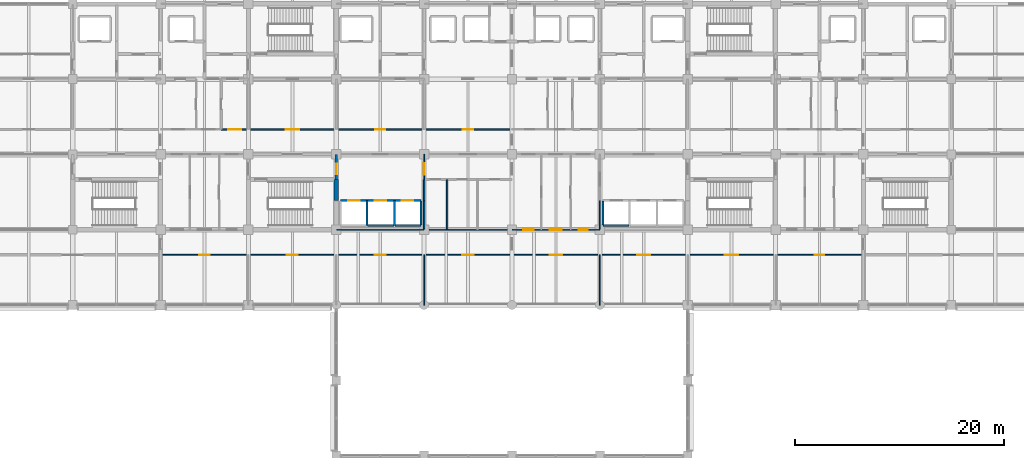
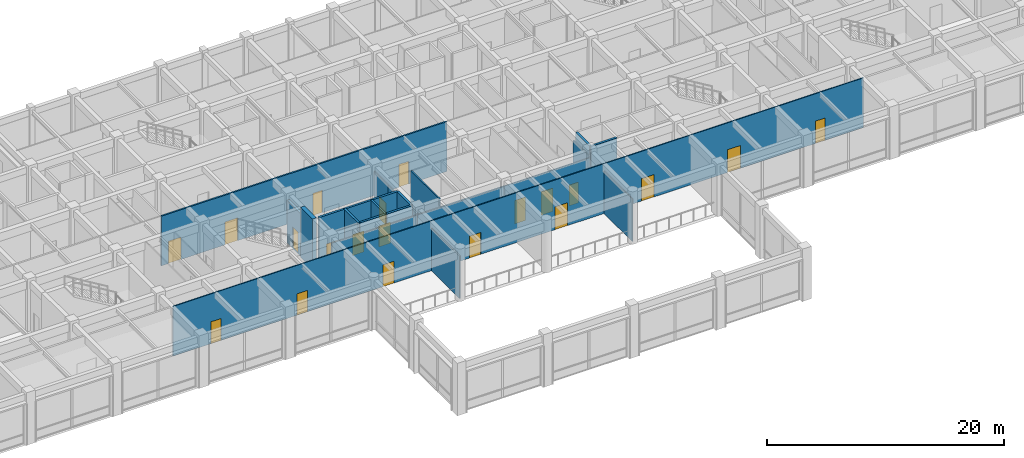
# One storey, part 30 of 51: 22 walls, 20 doors, 20 openings.
"""IFC4 building model written with IfcOpenShell, lengths in metres."""

from ifc_helpers import new_model, si_unit, direction, frame, frame_2d, origin, place, context, subcontext, project, spatial, rectangle, extrude, material, layer, layer_set, type_object, element, fill, save


model = new_model("IFC4")

# Units and contexts
model_context = context("Model", 3, precision=1e-05, world=origin(), true_north=direction((0.0, 1.0)))
body_context = subcontext(model_context, "Body", "Model", "MODEL_VIEW")
ifc_project = project(units=[si_unit("LENGTHUNIT", "METRE"), si_unit("AREAUNIT", "SQUARE_METRE"), si_unit("VOLUMEUNIT", "CUBIC_METRE"), si_unit("PLANEANGLEUNIT", "RADIAN"), si_unit("MASSUNIT", "GRAM", prefix="KILO")], contexts=[model_context])

# Site, building, storey
site_placement = place(None, origin())
site = spatial("IfcSite", under=ifc_project, at=site_placement, CompositionType="ELEMENT")
building_placement = place(site_placement, origin())
building = spatial("IfcBuilding", under=site, at=building_placement, Name="Chengyuan Square Courthouse", CompositionType="ELEMENT")
storey_placement = place(building_placement, frame((0.0, 0.0, 10.800048828125)))
storey = spatial("IfcBuildingStorey", under=building, at=storey_placement, Name="L03", CompositionType="ELEMENT", Elevation=10.800048828125)

# Wall, opening, door
ifc_material_1 = material(Name="Concrete C40", Category="concrete")
ifc_layer_1 = layer(ifc_material_1, 0.25)
ifc_layer_set_1 = layer_set([ifc_layer_1], Name="Concrete C40")
wall_type_1 = type_object("IfcWallType", Name="WL-FW1", PredefinedType="STANDARD", material=ifc_layer_set_1)
wall_1_placement = place(storey_placement, frame((67.199951171875, 91.199951171875, 0.0), z_axis=(0.0, 0.0, 1.0), x_axis=(0.0, 1.0, 0.0)))
wall_1 = element("IfcWall", 1, at=wall_1_placement, inside=storey, type_object=wall_type_1, Name="Interior Wall WL-L03-I1613", PredefinedType="STANDARD", context=body_context, shape_type="SweptSolid", body=[
    extrude(rectangle(XDim=2.400146484375, YDim=0.25, at=frame_2d((1.2001953125, 0.0))), origin(), (0.0, 0.0, 1.0), 4.369873046875),
])
opening_1_placement = place(wall_1_placement, frame((0.514892578125, 0.0, 0.0)))
opening_1 = element("IfcOpeningElement", 2, at=opening_1_placement, cuts=wall_1, Name="Opening DR-1333", PredefinedType="OPENING", context=body_context, shape_type="SweptSolid", body=[
    extrude(rectangle(XDim=1.0, YDim=2.199951171875, at=frame_2d((0.5, 1.10009765625))), frame((0.0, 0.136962890625, 0.0), z_axis=(0.0, -1.0, 0.0), x_axis=(1.0, 0.0, 0.0)), (0.0, 0.0, 1.0), 0.27392578125),
])
ifc_material_2 = material(Name="Steel Q235B Fire Door", Category="steel")
door_type_1 = type_object("IfcDoorType", Name="DT-11", OperationType="NOTDEFINED", PredefinedType="DOOR", material=ifc_material_2)
door_1_placement = place(opening_1_placement, origin())
door_1 = element("IfcDoor", 3, at=door_1_placement, inside=storey, type_object=door_type_1, Name="Interior Door DR-1333", OperationType="SINGLE_SWING_RIGHT", OverallHeight=2.199951171875, OverallWidth=1.0, PredefinedType="DOOR", context=body_context, shape_type="SweptSolid", body=[
    extrude(rectangle(XDim=1.0, YDim=2.199951171875, at=frame_2d((0.5, 1.10009765625))), frame((0.0, 0.02490234375, 0.0), z_axis=(0.0, -1.0, 0.0), x_axis=(1.0, 0.0, 0.0)), (0.0, 0.0, 1.0), 0.050048828125),
])
fill(opening_1, door_1)

# Wall, openings, doors
ifc_material_3 = material(Name="Deliberation Room Sound-Insulated Partition")
ifc_layer_2 = layer(ifc_material_3, 0.14990234375)
ifc_layer_set_2 = layer_set([ifc_layer_2], Name="Deliberation Room Sound-Insulated Partition")
wall_type_2 = type_object("IfcWallType", Name="WL-PT3", PredefinedType="STANDARD", material=ifc_layer_set_2)
wall_2_placement = place(storey_placement, frame((56.199951171875, 96.0, 0.0), z_axis=(0.0, 0.0, 1.0), x_axis=(1.0, 0.0, 0.0)))
wall_2 = element("IfcWall", 4, at=wall_2_placement, inside=storey, type_object=wall_type_2, Name="Interior Wall WL-L03-I1466", PredefinedType="STANDARD", context=body_context, shape_type="SweptSolid", body=[
    extrude(rectangle(XDim=27.800048828125, YDim=0.14990234375, at=frame_2d((13.89990234375, 0.0))), origin(), (0.0, 0.0, 1.0), 5.119873046875),
])
opening_2_placement = place(wall_2_placement, frame((0.679931640625, 0.0, 0.0)))
opening_2 = element("IfcOpeningElement", 5, at=opening_2_placement, cuts=wall_2, Name="Opening DR-1469", PredefinedType="OPENING", context=body_context, shape_type="SweptSolid", body=[
    extrude(rectangle(XDim=1.239990234375, YDim=2.300048828125, at=frame_2d((0.6201171875, 1.14990234375))), frame((0.0, 0.0869140625, 0.0), z_axis=(0.0, -1.0, 0.0), x_axis=(1.0, 0.0, 0.0)), (0.0, 0.0, 1.0), 0.173828125),
])
opening_3_placement = place(wall_2_placement, frame((6.159912109375, 0.0, 0.0)))
opening_3 = element("IfcOpeningElement", 6, at=opening_3_placement, cuts=wall_2, Name="Opening DR-1470", PredefinedType="OPENING", context=body_context, shape_type="SweptSolid", body=[
    extrude(rectangle(XDim=1.280029296875, YDim=2.35009765625, at=frame_2d((0.64013671875, 1.175048828125))), frame((0.0, 0.0869140625, 0.0), z_axis=(0.0, -1.0, 0.0), x_axis=(1.0, 0.0, 0.0)), (0.0, 0.0, 1.0), 0.173828125),
])
opening_4_placement = place(wall_2_placement, frame((14.72998046875, 0.0, 0.0)))
opening_4 = element("IfcOpeningElement", 7, at=opening_4_placement, cuts=wall_2, Name="Opening DR-1471", PredefinedType="OPENING", context=body_context, shape_type="SweptSolid", body=[
    extrude(rectangle(XDim=0.93994140625, YDim=2.300048828125, at=frame_2d((0.469970703125, 1.14990234375))), frame((0.0, 0.0869140625, 0.0), z_axis=(0.0, -1.0, 0.0), x_axis=(1.0, 0.0, 0.0)), (0.0, 0.0, 1.0), 0.173828125),
])
opening_5_placement = place(wall_2_placement, frame((23.110107421875, 0.0, 0.0)))
opening_5 = element("IfcOpeningElement", 8, at=opening_5_placement, cuts=wall_2, Name="Opening DR-1472", PredefinedType="OPENING", context=body_context, shape_type="SweptSolid", body=[
    extrude(rectangle(XDim=0.97998046875, YDim=2.35009765625, at=frame_2d((0.489990234375, 1.175048828125))), frame((0.0, 0.0869140625, 0.0), z_axis=(0.0, -1.0, 0.0), x_axis=(1.0, 0.0, 0.0)), (0.0, 0.0, 1.0), 0.173828125),
])
ifc_material_4 = material(Name="Acoustic Solid-Core Timber Door", Category="wood")
door_type_2 = type_object("IfcDoorType", Name="DT-37", OperationType="NOTDEFINED", PredefinedType="DOOR", material=ifc_material_4)
door_2_placement = place(opening_2_placement, origin())
door_2 = element("IfcDoor", 9, at=door_2_placement, inside=storey, type_object=door_type_2, Name="Interior Door DR-1469", OperationType="SINGLE_SWING_RIGHT", OverallHeight=2.300048828125, OverallWidth=1.239990234375, PredefinedType="DOOR", context=body_context, shape_type="SweptSolid", body=[
    extrude(rectangle(XDim=1.239990234375, YDim=2.300048828125, at=frame_2d((0.6201171875, 1.14990234375))), frame((0.0, 0.02490234375, 0.0), z_axis=(0.0, -1.0, 0.0), x_axis=(1.0, 0.0, 0.0)), (0.0, 0.0, 1.0), 0.050048828125),
])
fill(opening_2, door_2)
door_type_3 = type_object("IfcDoorType", Name="DT-38", OperationType="NOTDEFINED", PredefinedType="DOOR", material=ifc_material_4)
door_3_placement = place(opening_3_placement, origin())
door_3 = element("IfcDoor", 10, at=door_3_placement, inside=storey, type_object=door_type_3, Name="Interior Door DR-1470", OperationType="SINGLE_SWING_LEFT", OverallHeight=2.35009765625, OverallWidth=1.280029296875, PredefinedType="DOOR", context=body_context, shape_type="SweptSolid", body=[
    extrude(rectangle(XDim=1.280029296875, YDim=2.35009765625, at=frame_2d((0.64013671875, 1.175048828125))), frame((0.0, 0.02490234375, 0.0), z_axis=(0.0, -1.0, 0.0), x_axis=(1.0, 0.0, 0.0)), (0.0, 0.0, 1.0), 0.050048828125),
])
fill(opening_3, door_3)
door_type_4 = type_object("IfcDoorType", Name="DT-39", OperationType="NOTDEFINED", PredefinedType="DOOR", material=ifc_material_4)
door_4_placement = place(opening_4_placement, origin())
door_4 = element("IfcDoor", 11, at=door_4_placement, inside=storey, type_object=door_type_4, Name="Interior Door DR-1471", OperationType="SINGLE_SWING_RIGHT", OverallHeight=2.300048828125, OverallWidth=0.93994140625, PredefinedType="DOOR", context=body_context, shape_type="SweptSolid", body=[
    extrude(rectangle(XDim=0.93994140625, YDim=2.300048828125, at=frame_2d((0.469970703125, 1.14990234375))), frame((0.0, 0.02490234375, 0.0), z_axis=(0.0, -1.0, 0.0), x_axis=(1.0, 0.0, 0.0)), (0.0, 0.0, 1.0), 0.050048828125),
])
fill(opening_4, door_4)
door_type_5 = type_object("IfcDoorType", Name="DT-40", OperationType="NOTDEFINED", PredefinedType="DOOR", material=ifc_material_4)
door_5_placement = place(opening_5_placement, origin())
door_5 = element("IfcDoor", 12, at=door_5_placement, inside=storey, type_object=door_type_5, Name="Interior Door DR-1472", OperationType="SINGLE_SWING_LEFT", OverallHeight=2.35009765625, OverallWidth=0.97998046875, PredefinedType="DOOR", context=body_context, shape_type="SweptSolid", body=[
    extrude(rectangle(XDim=0.97998046875, YDim=2.35009765625, at=frame_2d((0.489990234375, 1.175048828125))), frame((0.0, 0.02490234375, 0.0), z_axis=(0.0, -1.0, 0.0), x_axis=(1.0, 0.0, 0.0)), (0.0, 0.0, 1.0), 0.050048828125),
])
fill(opening_5, door_5)

# Walls
ifc_material_5 = material(Name="Moisture-Resistant Masonry Wet-Room Partition", Category="masonry")
ifc_layer_3 = layer(ifc_material_5, 0.139892578125)
ifc_layer_set_3 = layer_set([ifc_layer_3], Name="Moisture-Resistant Masonry Wet-Room Partition")
wall_type_3 = type_object("IfcWallType", Name="WL-PT4", PredefinedType="STANDARD", material=ifc_layer_set_3)
wall_3_placement = place(storey_placement, frame((75.60009765625, 86.39990234375, 0.0), z_axis=(0.0, 0.0, 1.0), x_axis=(1.0, 0.0, 0.0)))
element("IfcWall", 13, at=wall_3_placement, inside=storey, type_object=wall_type_3, Name="Interior Wall WL-L03-I1424", PredefinedType="STANDARD", context=body_context, shape_type="SweptSolid", body=[
    extrude(rectangle(XDim=8.39990234375, YDim=0.139892578125, at=frame_2d((4.199951171875, 0.0))), origin(), (0.0, 0.0, 1.0), 4.27001953125),
])
wall_4_placement = place(storey_placement, frame((75.60009765625, 86.449951171875, 0.0), z_axis=(0.0, 0.0, 1.0), x_axis=(0.0, 1.0, 0.0)))
element("IfcWall", 14, at=wall_4_placement, inside=storey, type_object=wall_type_3, Name="Interior Wall WL-L03-I1628", PredefinedType="STANDARD", context=body_context, shape_type="SweptSolid", body=[
    extrude(rectangle(XDim=2.699951171875, YDim=0.139892578125, at=frame_2d((1.35009765625, 0.0))), origin(), (0.0, 0.0, 1.0), 4.369873046875),
])
wall_5_placement = place(storey_placement, frame((75.60009765625, 89.199951171875, 0.0), z_axis=(0.0, 0.0, 1.0), x_axis=(0.0, 1.0, 0.0)))
element("IfcWall", 15, at=wall_5_placement, inside=storey, type_object=wall_type_3, Name="Interior Wall WL-L03-I1629", PredefinedType="STANDARD", context=body_context, shape_type="SweptSolid", body=[
    extrude(rectangle(XDim=2.0, YDim=0.139892578125, at=frame_2d((1.0, 0.0))), origin(), (0.0, 0.0, 1.0), 4.369873046875),
])
wall_6_placement = place(storey_placement, frame((77.800048828125, 86.39990234375, 0.0), z_axis=(0.0, 0.0, 1.0), x_axis=(0.0, 1.0, 0.0)))
element("IfcWall", 16, at=wall_6_placement, inside=storey, type_object=wall_type_3, Name="Interior Wall WL-L03-I1636", PredefinedType="STANDARD", context=body_context, shape_type="SweptSolid", body=[
    extrude(rectangle(XDim=4.800048828125, YDim=0.139892578125, at=frame_2d((2.39990234375, 0.0))), origin(), (0.0, 0.0, 1.0), 5.119873046875),
])

# Wall, openings, doors
ifc_material_6 = material(Name="Gypsum Plasterboard Acoustic Stud Partition")
ifc_layer_4 = layer(ifc_material_6, 0.10009765625)
ifc_layer_set_4 = layer_set([ifc_layer_4], Name="Gypsum Plasterboard Acoustic Stud Partition")
wall_type_4 = type_object("IfcWallType", Name="WL-PT6", PredefinedType="STANDARD", material=ifc_layer_set_4)
wall_7_placement = place(storey_placement, frame((50.39990234375, 84.0, 0.0), z_axis=(0.0, 0.0, 1.0), x_axis=(1.0, 0.0, 0.0)))
wall_7 = element("IfcWall", 17, at=wall_7_placement, inside=storey, type_object=wall_type_4, Name="Interior Wall WL-L03-I1414", PredefinedType="STANDARD", context=body_context, shape_type="SweptSolid", body=[
    extrude(rectangle(XDim=67.2001953125, YDim=0.10009765625, at=frame_2d((33.60009765625, 0.0))), origin(), (0.0, 0.0, 1.0), 5.119873046875),
])
opening_6_placement = place(wall_7_placement, frame((3.699951171875, 0.0, 0.0)))
opening_6 = element("IfcOpeningElement", 18, at=opening_6_placement, cuts=wall_7, Name="Opening DR-1582", PredefinedType="OPENING", context=body_context, shape_type="SweptSolid", body=[
    extrude(rectangle(XDim=1.0, YDim=2.25, at=frame_2d((0.5, 1.125))), frame((0.0, 0.06201171875, 0.0), z_axis=(0.0, -1.0, 0.0), x_axis=(1.0, 0.0, 0.0)), (0.0, 0.0, 1.0), 0.1240234375),
])
opening_7_placement = place(wall_7_placement, frame((12.080078125, 0.0, 0.0)))
opening_7 = element("IfcOpeningElement", 19, at=opening_7_placement, cuts=wall_7, Name="Opening DR-1583", PredefinedType="OPENING", context=body_context, shape_type="SweptSolid", body=[
    extrude(rectangle(XDim=1.0400390625, YDim=2.199951171875, at=frame_2d((0.52001953125, 1.10009765625))), frame((0.0, 0.06201171875, 0.0), z_axis=(0.0, -1.0, 0.0), x_axis=(1.0, 0.0, 0.0)), (0.0, 0.0, 1.0), 0.1240234375),
])
opening_8_placement = place(wall_7_placement, frame((20.4599609375, 0.0, 0.0)))
opening_8 = element("IfcOpeningElement", 20, at=opening_8_placement, cuts=wall_7, Name="Opening DR-1584", PredefinedType="OPENING", context=body_context, shape_type="SweptSolid", body=[
    extrude(rectangle(XDim=1.080078125, YDim=2.25, at=frame_2d((0.5400390625, 1.125))), frame((0.0, 0.06201171875, 0.0), z_axis=(0.0, -1.0, 0.0), x_axis=(1.0, 0.0, 0.0)), (0.0, 0.0, 1.0), 0.1240234375),
])
opening_9_placement = place(wall_7_placement, frame((28.840087890625, 0.0, 0.0)))
opening_9 = element("IfcOpeningElement", 21, at=opening_9_placement, cuts=wall_7, Name="Opening DR-1585", PredefinedType="OPENING", context=body_context, shape_type="SweptSolid", body=[
    extrude(rectangle(XDim=1.1201171875, YDim=2.25, at=frame_2d((0.56005859375, 1.125))), frame((0.0, 0.06201171875, 0.0), z_axis=(0.0, -1.0, 0.0), x_axis=(1.0, 0.0, 0.0)), (0.0, 0.0, 1.0), 0.1240234375),
])
opening_10_placement = place(wall_7_placement, frame((37.199951171875, 0.0, 0.0)))
opening_10 = element("IfcOpeningElement", 22, at=opening_10_placement, cuts=wall_7, Name="Opening DR-1587", PredefinedType="OPENING", context=body_context, shape_type="SweptSolid", body=[
    extrude(rectangle(XDim=1.199951171875, YDim=2.35009765625, at=frame_2d((0.60009765625, 1.175048828125))), frame((0.0, 0.06201171875, 0.0), z_axis=(0.0, -1.0, 0.0), x_axis=(1.0, 0.0, 0.0)), (0.0, 0.0, 1.0), 0.1240234375),
])
opening_11_placement = place(wall_7_placement, frame((45.580078125, 0.0, 0.0)))
opening_11 = element("IfcOpeningElement", 23, at=opening_11_placement, cuts=wall_7, Name="Opening DR-1588", PredefinedType="OPENING", context=body_context, shape_type="SweptSolid", body=[
    extrude(rectangle(XDim=1.239990234375, YDim=2.300048828125, at=frame_2d((0.6201171875, 1.14990234375))), frame((0.0, 0.06201171875, 0.0), z_axis=(0.0, -1.0, 0.0), x_axis=(1.0, 0.0, 0.0)), (0.0, 0.0, 1.0), 0.1240234375),
])
opening_12_placement = place(wall_7_placement, frame((53.9599609375, 0.0, 0.0)))
opening_12 = element("IfcOpeningElement", 24, at=opening_12_placement, cuts=wall_7, Name="Opening DR-1589", PredefinedType="OPENING", context=body_context, shape_type="SweptSolid", body=[
    extrude(rectangle(XDim=1.280029296875, YDim=2.35009765625, at=frame_2d((0.64013671875, 1.175048828125))), frame((0.0, 0.06201171875, 0.0), z_axis=(0.0, -1.0, 0.0), x_axis=(1.0, 0.0, 0.0)), (0.0, 0.0, 1.0), 0.1240234375),
])
opening_13_placement = place(wall_7_placement, frame((62.530029296875, 0.0, 0.0)))
opening_13 = element("IfcOpeningElement", 25, at=opening_13_placement, cuts=wall_7, Name="Opening DR-1590", PredefinedType="OPENING", context=body_context, shape_type="SweptSolid", body=[
    extrude(rectangle(XDim=0.93994140625, YDim=2.300048828125, at=frame_2d((0.469970703125, 1.14990234375))), frame((0.0, 0.06201171875, 0.0), z_axis=(0.0, -1.0, 0.0), x_axis=(1.0, 0.0, 0.0)), (0.0, 0.0, 1.0), 0.1240234375),
])
door_type_6 = type_object("IfcDoorType", Name="DT-31", OperationType="NOTDEFINED", PredefinedType="DOOR", material=ifc_material_4)
door_6_placement = place(opening_6_placement, origin())
door_6 = element("IfcDoor", 26, at=door_6_placement, inside=storey, type_object=door_type_6, Name="Interior Door DR-1582", OperationType="SINGLE_SWING_LEFT", OverallHeight=2.25, OverallWidth=1.0, PredefinedType="DOOR", context=body_context, shape_type="SweptSolid", body=[
    extrude(rectangle(XDim=1.0, YDim=2.25, at=frame_2d((0.5, 1.125))), frame((0.0, 0.02490234375, 0.0), z_axis=(0.0, -1.0, 0.0), x_axis=(1.0, 0.0, 0.0)), (0.0, 0.0, 1.0), 0.050048828125),
])
fill(opening_6, door_6)
door_type_7 = type_object("IfcDoorType", Name="DT-32", OperationType="NOTDEFINED", PredefinedType="DOOR", material=ifc_material_4)
door_7_placement = place(opening_7_placement, origin())
door_7 = element("IfcDoor", 27, at=door_7_placement, inside=storey, type_object=door_type_7, Name="Interior Door DR-1583", OperationType="SINGLE_SWING_RIGHT", OverallHeight=2.199951171875, OverallWidth=1.0400390625, PredefinedType="DOOR", context=body_context, shape_type="SweptSolid", body=[
    extrude(rectangle(XDim=1.0400390625, YDim=2.199951171875, at=frame_2d((0.52001953125, 1.10009765625))), frame((0.0, 0.02490234375, 0.0), z_axis=(0.0, -1.0, 0.0), x_axis=(1.0, 0.0, 0.0)), (0.0, 0.0, 1.0), 0.050048828125),
])
fill(opening_7, door_7)
door_type_8 = type_object("IfcDoorType", Name="DT-33", OperationType="NOTDEFINED", PredefinedType="DOOR", material=ifc_material_4)
door_8_placement = place(opening_8_placement, origin())
door_8 = element("IfcDoor", 28, at=door_8_placement, inside=storey, type_object=door_type_8, Name="Interior Door DR-1584", OperationType="SINGLE_SWING_LEFT", OverallHeight=2.25, OverallWidth=1.080078125, PredefinedType="DOOR", context=body_context, shape_type="SweptSolid", body=[
    extrude(rectangle(XDim=1.080078125, YDim=2.25, at=frame_2d((0.5400390625, 1.125))), frame((0.0, 0.02490234375, 0.0), z_axis=(0.0, -1.0, 0.0), x_axis=(1.0, 0.0, 0.0)), (0.0, 0.0, 1.0), 0.050048828125),
])
fill(opening_8, door_8)
door_type_9 = type_object("IfcDoorType", Name="DT-34", OperationType="NOTDEFINED", PredefinedType="DOOR", material=ifc_material_4)
door_9_placement = place(opening_9_placement, origin())
door_9 = element("IfcDoor", 29, at=door_9_placement, inside=storey, type_object=door_type_9, Name="Interior Door DR-1585", OperationType="SINGLE_SWING_RIGHT", OverallHeight=2.25, OverallWidth=1.1201171875, PredefinedType="DOOR", context=body_context, shape_type="SweptSolid", body=[
    extrude(rectangle(XDim=1.1201171875, YDim=2.25, at=frame_2d((0.56005859375, 1.125))), frame((0.0, 0.02490234375, 0.0), z_axis=(0.0, -1.0, 0.0), x_axis=(1.0, 0.0, 0.0)), (0.0, 0.0, 1.0), 0.050048828125),
])
fill(opening_9, door_9)
door_type_10 = type_object("IfcDoorType", Name="DT-36", OperationType="NOTDEFINED", PredefinedType="DOOR", material=ifc_material_4)
door_10_placement = place(opening_10_placement, origin())
door_10 = element("IfcDoor", 30, at=door_10_placement, inside=storey, type_object=door_type_10, Name="Interior Door DR-1587", OperationType="SINGLE_SWING_RIGHT", OverallHeight=2.35009765625, OverallWidth=1.199951171875, PredefinedType="DOOR", context=body_context, shape_type="SweptSolid", body=[
    extrude(rectangle(XDim=1.199951171875, YDim=2.35009765625, at=frame_2d((0.60009765625, 1.175048828125))), frame((0.0, 0.02490234375, 0.0), z_axis=(0.0, -1.0, 0.0), x_axis=(1.0, 0.0, 0.0)), (0.0, 0.0, 1.0), 0.050048828125),
])
fill(opening_10, door_10)
door_11_placement = place(opening_11_placement, origin())
door_11 = element("IfcDoor", 31, at=door_11_placement, inside=storey, type_object=door_type_2, Name="Interior Door DR-1588", OperationType="SINGLE_SWING_LEFT", OverallHeight=2.300048828125, OverallWidth=1.239990234375, PredefinedType="DOOR", context=body_context, shape_type="SweptSolid", body=[
    extrude(rectangle(XDim=1.239990234375, YDim=2.300048828125, at=frame_2d((0.6201171875, 1.14990234375))), frame((0.0, 0.02490234375, 0.0), z_axis=(0.0, -1.0, 0.0), x_axis=(1.0, 0.0, 0.0)), (0.0, 0.0, 1.0), 0.050048828125),
])
fill(opening_11, door_11)
door_12_placement = place(opening_12_placement, origin())
door_12 = element("IfcDoor", 32, at=door_12_placement, inside=storey, type_object=door_type_3, Name="Interior Door DR-1589", OperationType="SINGLE_SWING_RIGHT", OverallHeight=2.35009765625, OverallWidth=1.280029296875, PredefinedType="DOOR", context=body_context, shape_type="SweptSolid", body=[
    extrude(rectangle(XDim=1.280029296875, YDim=2.35009765625, at=frame_2d((0.64013671875, 1.175048828125))), frame((0.0, 0.02490234375, 0.0), z_axis=(0.0, -1.0, 0.0), x_axis=(1.0, 0.0, 0.0)), (0.0, 0.0, 1.0), 0.050048828125),
])
fill(opening_12, door_12)
door_13_placement = place(opening_13_placement, origin())
door_13 = element("IfcDoor", 33, at=door_13_placement, inside=storey, type_object=door_type_4, Name="Interior Door DR-1590", OperationType="SINGLE_SWING_LEFT", OverallHeight=2.300048828125, OverallWidth=0.93994140625, PredefinedType="DOOR", context=body_context, shape_type="SweptSolid", body=[
    extrude(rectangle(XDim=0.93994140625, YDim=2.300048828125, at=frame_2d((0.469970703125, 1.14990234375))), frame((0.0, 0.02490234375, 0.0), z_axis=(0.0, -1.0, 0.0), x_axis=(1.0, 0.0, 0.0)), (0.0, 0.0, 1.0), 0.050048828125),
])
fill(opening_13, door_13)

# Wall
wall_8_placement = place(storey_placement, frame((67.25, 86.39990234375, 0.0), z_axis=(0.0, 0.0, 1.0), x_axis=(1.0, 0.0, 0.0)))
element("IfcWall", 34, at=wall_8_placement, inside=storey, type_object=wall_type_4, Name="Interior Wall WL-L03-I1423", PredefinedType="STANDARD", context=body_context, shape_type="SweptSolid", body=[
    extrude(rectangle(XDim=8.300048828125, YDim=0.10009765625, at=frame_2d((4.14990234375, 0.0))), origin(), (0.0, 0.0, 1.0), 4.27001953125),
])

# Wall, openings, doors
wall_9_placement = place(storey_placement, frame((84.0, 86.39990234375, 0.0), z_axis=(0.0, 0.0, 1.0), x_axis=(1.0, 0.0, 0.0)))
wall_9 = element("IfcWall", 35, at=wall_9_placement, inside=storey, type_object=wall_type_4, Name="Interior Wall WL-L03-I1425", PredefinedType="STANDARD", context=body_context, shape_type="SweptSolid", body=[
    extrude(rectangle(XDim=8.39990234375, YDim=0.10009765625, at=frame_2d((4.199951171875, 0.0))), origin(), (0.0, 0.0, 1.0), 4.27001953125),
])
opening_14_placement = place(wall_9_placement, frame((1.074951171875, 0.0, 0.0)))
opening_14 = element("IfcOpeningElement", 36, at=opening_14_placement, cuts=wall_9, Name="Opening DR-1541", PredefinedType="OPENING", context=body_context, shape_type="SweptSolid", body=[
    extrude(rectangle(XDim=1.02001953125, YDim=2.39990234375, at=frame_2d((0.510009765625, 1.199951171875))), frame((0.0, 0.06201171875, 0.0), z_axis=(0.0, -1.0, 0.0), x_axis=(1.0, 0.0, 0.0)), (0.0, 0.0, 1.0), 0.1240234375),
])
opening_15_placement = place(wall_9_placement, frame((3.6298828125, 0.0, 0.0)))
opening_15 = element("IfcOpeningElement", 37, at=opening_15_placement, cuts=wall_9, Name="Opening DR-1543", PredefinedType="OPENING", context=body_context, shape_type="SweptSolid", body=[
    extrude(rectangle(XDim=1.139892578125, YDim=2.39990234375, at=frame_2d((0.56982421875, 1.199951171875))), frame((0.0, 0.06201171875, 0.0), z_axis=(0.0, -1.0, 0.0), x_axis=(1.0, 0.0, 0.0)), (0.0, 0.0, 1.0), 0.1240234375),
])
opening_16_placement = place(wall_9_placement, frame((6.364990234375, 0.0, 0.0)))
opening_16 = element("IfcOpeningElement", 38, at=opening_16_placement, cuts=wall_9, Name="Opening DR-1544", PredefinedType="OPENING", context=body_context, shape_type="SweptSolid", body=[
    extrude(rectangle(XDim=0.89990234375, YDim=2.14990234375, at=frame_2d((0.449951171875, 1.074951171875))), frame((0.0, 0.06201171875, 0.0), z_axis=(0.0, -1.0, 0.0), x_axis=(1.0, 0.0, 0.0)), (0.0, 0.0, 1.0), 0.1240234375),
])
door_type_11 = type_object("IfcDoorType", Name="DT-27", OperationType="NOTDEFINED", PredefinedType="DOOR", material=ifc_material_4)
door_14_placement = place(opening_16_placement, origin())
door_14 = element("IfcDoor", 39, at=door_14_placement, inside=storey, type_object=door_type_11, Name="Interior Door DR-1544", OperationType="SINGLE_SWING_RIGHT", OverallHeight=2.14990234375, OverallWidth=0.89990234375, PredefinedType="DOOR", context=body_context, shape_type="SweptSolid", body=[
    extrude(rectangle(XDim=0.89990234375, YDim=2.14990234375, at=frame_2d((0.449951171875, 1.074951171875))), frame((0.0, 0.02490234375, 0.0), z_axis=(0.0, -1.0, 0.0), x_axis=(1.0, 0.0, 0.0)), (0.0, 0.0, 1.0), 0.050048828125),
])
fill(opening_16, door_14)
door_type_12 = type_object("IfcDoorType", Name="DT-41", OperationType="NOTDEFINED", PredefinedType="DOOR", material=ifc_material_4)
door_15_placement = place(opening_14_placement, origin())
door_15 = element("IfcDoor", 40, at=door_15_placement, inside=storey, type_object=door_type_12, Name="Interior Door DR-1541", OperationType="SINGLE_SWING_LEFT", OverallHeight=2.39990234375, OverallWidth=1.02001953125, PredefinedType="DOOR", context=body_context, shape_type="SweptSolid", body=[
    extrude(rectangle(XDim=1.02001953125, YDim=2.39990234375, at=frame_2d((0.510009765625, 1.199951171875))), frame((0.0, 0.02490234375, 0.0), z_axis=(0.0, -1.0, 0.0), x_axis=(1.0, 0.0, 0.0)), (0.0, 0.0, 1.0), 0.050048828125),
])
fill(opening_14, door_15)
door_type_13 = type_object("IfcDoorType", Name="DT-43", OperationType="NOTDEFINED", PredefinedType="DOOR", material=ifc_material_4)
door_16_placement = place(opening_15_placement, origin())
door_16 = element("IfcDoor", 41, at=door_16_placement, inside=storey, type_object=door_type_13, Name="Interior Door DR-1543", OperationType="SINGLE_SWING_LEFT", OverallHeight=2.39990234375, OverallWidth=1.139892578125, PredefinedType="DOOR", context=body_context, shape_type="SweptSolid", body=[
    extrude(rectangle(XDim=1.139892578125, YDim=2.39990234375, at=frame_2d((0.56982421875, 1.199951171875))), frame((0.0, 0.02490234375, 0.0), z_axis=(0.0, -1.0, 0.0), x_axis=(1.0, 0.0, 0.0)), (0.0, 0.0, 1.0), 0.050048828125),
])
fill(opening_15, door_16)

# Wall
wall_10_placement = place(storey_placement, frame((75.60009765625, 79.199951171875, 0.0), z_axis=(0.0, 0.0, 1.0), x_axis=(0.0, 1.0, 0.0)))
element("IfcWall", 42, at=wall_10_placement, inside=storey, type_object=wall_type_4, Name="Interior Wall WL-L03-I1627", PredefinedType="STANDARD", context=body_context, shape_type="SweptSolid", body=[
    extrude(rectangle(XDim=4.800048828125, YDim=0.10009765625, at=frame_2d((2.39990234375, 0.0))), origin(), (0.0, 0.0, 1.0), 4.369873046875),
])

# Wall, opening, door
wall_11_placement = place(storey_placement, frame((75.60009765625, 91.199951171875, 0.0), z_axis=(0.0, 0.0, 1.0), x_axis=(0.0, 1.0, 0.0)))
wall_11 = element("IfcWall", 43, at=wall_11_placement, inside=storey, type_object=wall_type_4, Name="Interior Wall WL-L03-I1630", PredefinedType="STANDARD", context=body_context, shape_type="SweptSolid", body=[
    extrude(rectangle(XDim=2.400146484375, YDim=0.10009765625, at=frame_2d((1.2001953125, 0.0))), origin(), (0.0, 0.0, 1.0), 4.369873046875),
])
opening_17_placement = place(wall_11_placement, frame((0.455078125, 0.0, 0.0)))
opening_17 = element("IfcOpeningElement", 44, at=opening_17_placement, cuts=wall_11, Name="Opening DR-1398", PredefinedType="OPENING", context=body_context, shape_type="SweptSolid", body=[
    extrude(rectangle(XDim=1.1201171875, YDim=2.25, at=frame_2d((0.56005859375, 1.125))), frame((0.0, 0.06201171875, 0.0), z_axis=(0.0, -1.0, 0.0), x_axis=(1.0, 0.0, 0.0)), (0.0, 0.0, 1.0), 0.1240234375),
])
door_17_placement = place(opening_17_placement, origin())
door_17 = element("IfcDoor", 45, at=door_17_placement, inside=storey, type_object=door_type_9, Name="Interior Door DR-1398", OperationType="SINGLE_SWING_RIGHT", OverallHeight=2.25, OverallWidth=1.1201171875, PredefinedType="DOOR", context=body_context, shape_type="SweptSolid", body=[
    extrude(rectangle(XDim=1.1201171875, YDim=2.25, at=frame_2d((0.56005859375, 1.125))), frame((0.0, 0.02490234375, 0.0), z_axis=(0.0, -1.0, 0.0), x_axis=(1.0, 0.0, 0.0)), (0.0, 0.0, 1.0), 0.050048828125),
])
fill(opening_17, door_17)

# Walls
wall_12_placement = place(storey_placement, frame((92.39990234375, 79.199951171875, 0.0), z_axis=(0.0, 0.0, 1.0), x_axis=(0.0, 1.0, 0.0)))
element("IfcWall", 46, at=wall_12_placement, inside=storey, type_object=wall_type_4, Name="Interior Wall WL-L03-I1652", PredefinedType="STANDARD", context=body_context, shape_type="SweptSolid", body=[
    extrude(rectangle(XDim=4.800048828125, YDim=0.10009765625, at=frame_2d((2.39990234375, 0.0))), origin(), (0.0, 0.0, 1.0), 4.369873046875),
])
wall_13_placement = place(storey_placement, frame((92.39990234375, 86.449951171875, 0.0), z_axis=(0.0, 0.0, 1.0), x_axis=(0.0, 1.0, 0.0)))
element("IfcWall", 47, at=wall_13_placement, inside=storey, type_object=wall_type_4, Name="Interior Wall WL-L03-I1653", PredefinedType="STANDARD", context=body_context, shape_type="SweptSolid", body=[
    extrude(rectangle(XDim=2.699951171875, YDim=0.10009765625, at=frame_2d((1.35009765625, 0.0))), origin(), (0.0, 0.0, 1.0), 4.369873046875),
])
ifc_material_7 = material(Name="Reinforced Masonry Shaft Enclosure", Category="masonry")
ifc_layer_5 = layer(ifc_material_7, 0.199951171875)
ifc_layer_set_5 = layer_set([ifc_layer_5], Name="Reinforced Masonry Shaft Enclosure")
wall_type_5 = type_object("IfcWallType", Name="WL-SH1", PredefinedType="STANDARD", material=ifc_layer_set_5)
for number, where, z_axis, x_axis, name in (
    (48, (70.199951171875, 86.800048828125, 0.0), (0.0, 0.0, 1.0), (1.0, 0.0, 0.0), "Interior Wall WL-L03-I1434"),
    (49, (72.800048828125, 86.800048828125, 0.0), (0.0, 0.0, 1.0), (1.0, 0.0, 0.0), "Interior Wall WL-L03-I1435"),
    (50, (92.699951171875, 86.800048828125, 0.0), (0.0, 0.0, 1.0), (1.0, 0.0, 0.0), "Interior Wall WL-L03-I1436"),
):
    element("IfcWall", number, at=place(storey_placement, frame(where, z_axis=z_axis, x_axis=x_axis)), inside=storey, type_object=wall_type_5, Name=name, PredefinedType="STANDARD", context=body_context, shape_type="SweptSolid", body=[
        extrude(rectangle(XDim=2.5, YDim=0.199951171875, at=frame_2d((1.25, 0.0))), origin(), (0.0, 0.0, 1.0), 5.119873046875),
    ])

# Wall, openings, doors
wall_14_placement = place(storey_placement, frame((67.60009765625, 89.199951171875, 0.0), z_axis=(0.0, 0.0, 1.0), x_axis=(1.0, 0.0, 0.0)))
wall_14 = element("IfcWall", 51, at=wall_14_placement, inside=storey, type_object=wall_type_5, Name="Interior Wall WL-L03-I1439", PredefinedType="STANDARD", context=body_context, shape_type="SweptSolid", body=[
    extrude(rectangle(XDim=7.699951171875, YDim=0.199951171875, at=frame_2d((3.85009765625, 0.0))), origin(), (0.0, 0.0, 1.0), 5.119873046875),
])
opening_18_placement = place(wall_14_placement, frame((0.72509765625, 0.0, 0.0)))
opening_18 = element("IfcOpeningElement", 52, at=opening_18_placement, cuts=wall_14, Name="Opening LD-061", PredefinedType="OPENING", context=body_context, shape_type="SweptSolid", body=[
    extrude(rectangle(XDim=1.10009765625, YDim=2.14990234375, at=frame_2d((0.550048828125, 1.074951171875))), frame((0.0, 0.112060546875, 0.0), z_axis=(0.0, -1.0, 0.0), x_axis=(1.0, 0.0, 0.0)), (0.0, 0.0, 1.0), 0.223876953125),
])
opening_19_placement = place(wall_14_placement, frame((3.300048828125, 0.0, 0.0)))
opening_19 = element("IfcOpeningElement", 53, at=opening_19_placement, cuts=wall_14, Name="Opening LD-062", PredefinedType="OPENING", context=body_context, shape_type="SweptSolid", body=[
    extrude(rectangle(XDim=1.10009765625, YDim=2.14990234375, at=frame_2d((0.550048828125, 1.074951171875))), frame((0.0, 0.112060546875, 0.0), z_axis=(0.0, -1.0, 0.0), x_axis=(1.0, 0.0, 0.0)), (0.0, 0.0, 1.0), 0.223876953125),
])
opening_20_placement = place(wall_14_placement, frame((5.875, 0.0, 0.0)))
opening_20 = element("IfcOpeningElement", 54, at=opening_20_placement, cuts=wall_14, Name="Opening LD-063", PredefinedType="OPENING", context=body_context, shape_type="SweptSolid", body=[
    extrude(rectangle(XDim=1.10009765625, YDim=2.14990234375, at=frame_2d((0.550048828125, 1.074951171875))), frame((0.0, 0.112060546875, 0.0), z_axis=(0.0, -1.0, 0.0), x_axis=(1.0, 0.0, 0.0)), (0.0, 0.0, 1.0), 0.223876953125),
])
ifc_material_8 = material(Name="Stainless Steel S30408 Lift Landing Door", Category="steel")
door_type_14 = type_object("IfcDoorType", Name="DT-06", OperationType="DOUBLE_DOOR_SLIDING", PredefinedType="DOOR", material=ifc_material_8)
door_18_placement = place(opening_18_placement, origin())
door_18 = element("IfcDoor", 55, at=door_18_placement, inside=storey, type_object=door_type_14, Name="Lift Landing Door LF-P1 L03", OperationType="DOUBLE_DOOR_SLIDING", OverallHeight=2.14990234375, OverallWidth=1.10009765625, PredefinedType="DOOR", context=body_context, shape_type="SweptSolid", body=[
    extrude(rectangle(XDim=1.10009765625, YDim=2.14990234375, at=frame_2d((0.550048828125, 1.074951171875))), frame((0.0, 0.02490234375, 0.0), z_axis=(0.0, -1.0, 0.0), x_axis=(1.0, 0.0, 0.0)), (0.0, 0.0, 1.0), 0.050048828125),
])
fill(opening_18, door_18)
door_19_placement = place(opening_19_placement, origin())
door_19 = element("IfcDoor", 56, at=door_19_placement, inside=storey, type_object=door_type_14, Name="Lift Landing Door LF-P2 L03", OperationType="DOUBLE_DOOR_SLIDING", OverallHeight=2.14990234375, OverallWidth=1.10009765625, PredefinedType="DOOR", context=body_context, shape_type="SweptSolid", body=[
    extrude(rectangle(XDim=1.10009765625, YDim=2.14990234375, at=frame_2d((0.550048828125, 1.074951171875))), frame((0.0, 0.02490234375, 0.0), z_axis=(0.0, -1.0, 0.0), x_axis=(1.0, 0.0, 0.0)), (0.0, 0.0, 1.0), 0.050048828125),
])
fill(opening_19, door_19)
door_20_placement = place(opening_20_placement, origin())
door_20 = element("IfcDoor", 57, at=door_20_placement, inside=storey, type_object=door_type_14, Name="Lift Landing Door LF-P3 L03", OperationType="DOUBLE_DOOR_SLIDING", OverallHeight=2.14990234375, OverallWidth=1.10009765625, PredefinedType="DOOR", context=body_context, shape_type="SweptSolid", body=[
    extrude(rectangle(XDim=1.10009765625, YDim=2.14990234375, at=frame_2d((0.550048828125, 1.074951171875))), frame((0.0, 0.02490234375, 0.0), z_axis=(0.0, -1.0, 0.0), x_axis=(1.0, 0.0, 0.0)), (0.0, 0.0, 1.0), 0.050048828125),
])
fill(opening_20, door_20)

# Walls
for number, where, z_axis, x_axis, name in (
    (58, (70.14990234375, 86.800048828125, 0.0), (0.0, 0.0, 1.0), (0.0, 1.0, 0.0), "Interior Wall WL-L03-I1621"),
    (59, (72.75, 86.800048828125, 0.0), (0.0, 0.0, 1.0), (0.0, 1.0, 0.0), "Interior Wall WL-L03-I1625"),
):
    element("IfcWall", number, at=place(storey_placement, frame(where, z_axis=z_axis, x_axis=x_axis)), inside=storey, type_object=wall_type_5, Name=name, PredefinedType="STANDARD", context=body_context, shape_type="SweptSolid", body=[
        extrude(rectangle(XDim=2.39990234375, YDim=0.199951171875, at=frame_2d((1.199951171875, 0.0))), origin(), (0.0, 0.0, 1.0), 5.119873046875),
    ])
for number, where, z_axis, x_axis, name in (
    (60, (75.300048828125, 86.85009765625, 0.0), (0.0, 0.0, 1.0), (0.0, 1.0, 0.0), "Interior Wall WL-L03-I1626"),
    (61, (92.699951171875, 86.85009765625, 0.0), (0.0, 0.0, 1.0), (0.0, 1.0, 0.0), "Interior Wall WL-L03-I1659"),
):
    element("IfcWall", number, at=place(storey_placement, frame(where, z_axis=z_axis, x_axis=x_axis)), inside=storey, type_object=wall_type_5, Name=name, PredefinedType="STANDARD", context=body_context, shape_type="SweptSolid", body=[
        extrude(rectangle(XDim=2.2998046875, YDim=0.199951171875, at=frame_2d((1.14990234375, 0.0))), origin(), (0.0, 0.0, 1.0), 5.119873046875),
    ])
ifc_material_9 = material(Name="Concrete C50", Category="concrete")
ifc_layer_6 = layer(ifc_material_9, 0.39990234375)
ifc_layer_set_6 = layer_set([ifc_layer_6], Name="Concrete C50")
wall_type_6 = type_object("IfcWallType", Name="WL-SW1", PredefinedType="SHEAR", material=ifc_layer_set_6)
wall_15_placement = place(storey_placement, frame((67.199951171875, 89.199951171875, 0.0), z_axis=(0.0, 0.0, 1.0), x_axis=(0.0, 1.0, 0.0)))
element("IfcWall", 62, at=wall_15_placement, inside=storey, type_object=wall_type_6, Name="Interior Wall WL-L03-I1612", PredefinedType="SHEAR", context=body_context, shape_type="SweptSolid", body=[
    extrude(rectangle(XDim=2.0, YDim=0.39990234375, at=frame_2d((1.0, 0.0))), origin(), (0.0, 0.0, 1.0), 5.119873046875),
])

save(model, "model.ifc")
